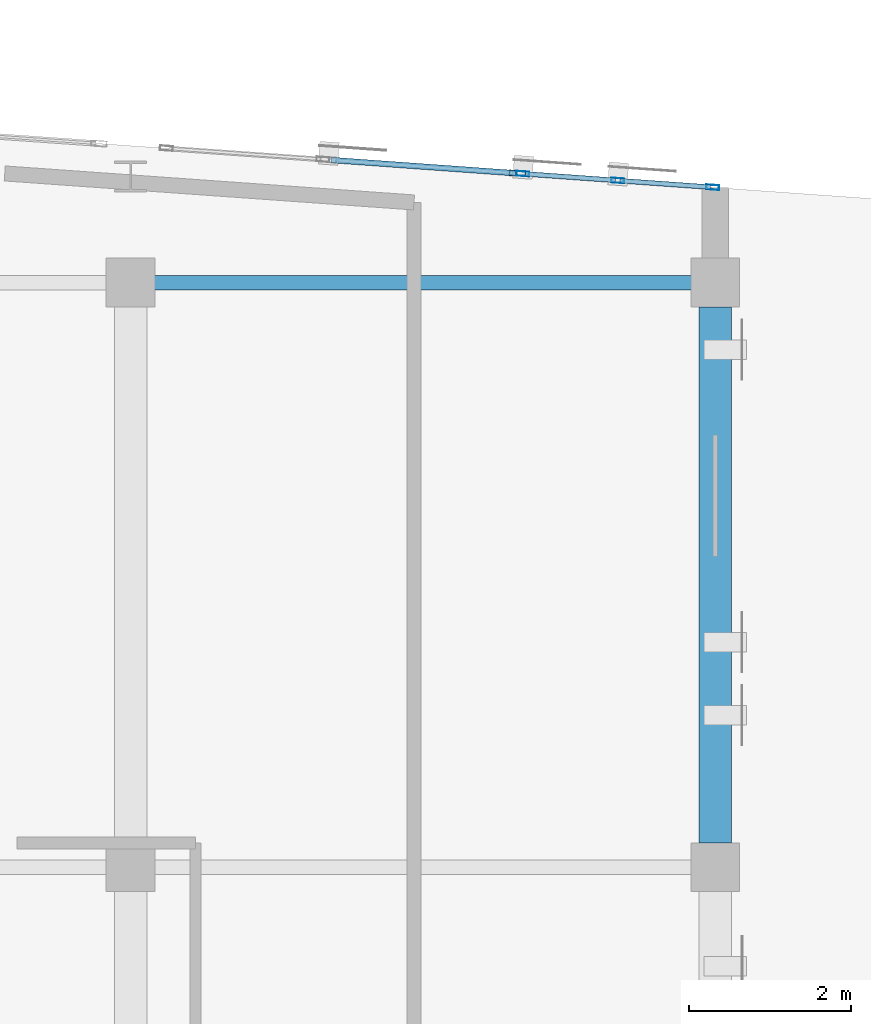
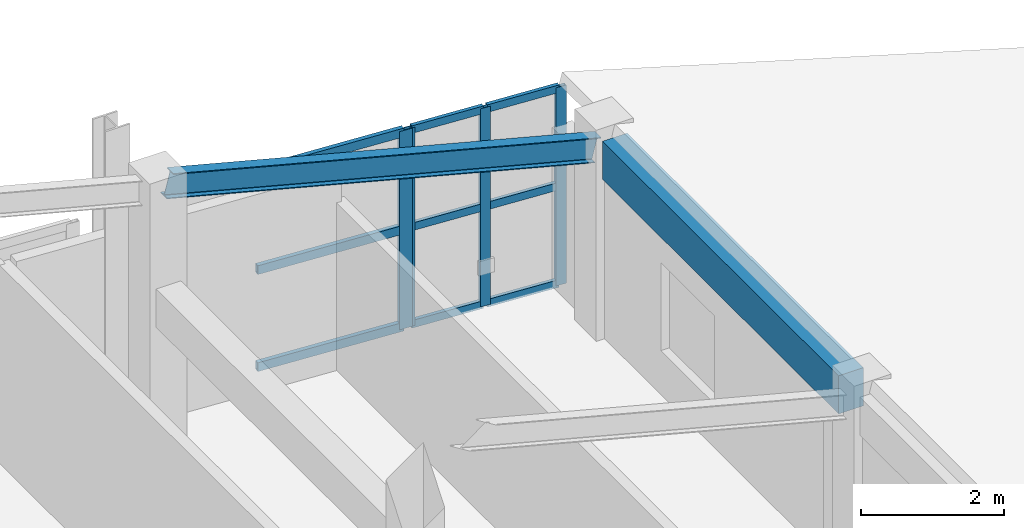
# One storey, part 24 of 41: 13 members, 2 beams, 2 elements without a shape of their own.
"""IFC4 building model written with IfcOpenShell, lengths in metres."""

import ifcopenshell
import ifcopenshell.guid

model = None  # the IFC model being written
_history = None  # IfcOwnerHistory: only IFC2X3 demands one
_inside = {}  # id of a spatial element -> (the spatial element, [elements in it])
_under = {}  # id of a project, library or spatial element -> (it, [spatial elements below it])
_declared = {}  # id of a project -> (the project, [libraries it declares])
_typed = {}  # id of a type object -> (the type object, [elements of that type])
_made_of = {}  # id of a material, layer set ... -> (it, [elements and type objects made of it])


def new_model(schema):
    """Start an empty IFC model of exactly this schema.

    Asked for "IFC4X3", IfcOpenShell would pick the latest addendum, in which some entities
    have other attributes; the version numbers below select the first issue.
    IFC2X3 requires an IfcOwnerHistory on every rooted entity: one is made here for all.
    """
    global model, _history
    if schema == "IFC4X3":
        model = ifcopenshell.file(schema_version=(4, 3, 0, 0))
    else:
        model = ifcopenshell.file(schema=schema)
    _inside.clear()
    _under.clear()
    _declared.clear()
    _typed.clear()
    _made_of.clear()
    _history = None
    if model.schema == "IFC2X3":
        org = make("IfcOrganization", Name="unknown")
        user = make(
            "IfcPersonAndOrganization",
            ThePerson=make("IfcPerson", FamilyName="unknown"),
            TheOrganization=org,
        )
        app = make(
            "IfcApplication",
            ApplicationDeveloper=org,
            Version="unknown",
            ApplicationFullName="unknown",
            ApplicationIdentifier="unknown",
        )
        _history = make(
            "IfcOwnerHistory",
            OwningUser=user,
            OwningApplication=app,
            ChangeAction="ADDED",
            CreationDate=0,
        )
    return model


def make(cls, **values):
    """One entity of the class cls with the attributes given. An attribute that is None is left unset."""
    return model.create_entity(
        cls, **{name: value for name, value in values.items() if value is not None}
    )


def rooted(cls, **values):
    """An entity with a GlobalId (a new one), such as an element, a storey or a relation."""
    return make(cls, GlobalId=ifcopenshell.guid.new(), OwnerHistory=_history, **values)


def si_unit(unit_type, name, prefix=None):
    """IfcSIUnit, for example si_unit("LENGTHUNIT", "METRE", prefix="MILLI")."""
    return make("IfcSIUnit", UnitType=unit_type, Prefix=prefix, Name=name)


def assignment(units):
    """IfcUnitAssignment: the units of a project."""
    return None if units is None else make("IfcUnitAssignment", Units=units)


def point(xyz):
    """IfcCartesianPoint."""
    return None if xyz is None else make("IfcCartesianPoint", Coordinates=xyz)


def direction(xyz):
    """IfcDirection."""
    return None if xyz is None else make("IfcDirection", DirectionRatios=xyz)


def frame(location, z_axis=None, x_axis=None):
    """IfcAxis2Placement3D, a coordinate frame: its origin and axes. An axis left out is left unset."""
    return make(
        "IfcAxis2Placement3D",
        Location=point(location),
        Axis=direction(z_axis),
        RefDirection=direction(x_axis),
    )


def frame_2d(location, x_axis=None):
    """IfcAxis2Placement2D, a coordinate frame in the plane: its origin and x axis."""
    return make(
        "IfcAxis2Placement2D", Location=point(location), RefDirection=direction(x_axis)
    )


def origin():
    """The frame at (0, 0, 0) with its axes left unset."""
    return frame((0.0, 0.0, 0.0))


def origin_2d():
    """The frame at (0, 0) in the plane with its x axis left unset."""
    return frame_2d((0.0, 0.0))


def place(relative_to, where):
    """IfcLocalPlacement: puts the frame where relative to a parent placement (None: the world)."""
    return make(
        "IfcLocalPlacement", PlacementRelTo=relative_to, RelativePlacement=where
    )


def context(
    kind, dimensions, precision=None, world=None, true_north=None, identifier=None
):
    """IfcGeometricRepresentationContext, for example the 3D "Model" context."""
    return make(
        "IfcGeometricRepresentationContext",
        ContextIdentifier=identifier,
        ContextType=kind,
        CoordinateSpaceDimension=dimensions,
        Precision=precision,
        WorldCoordinateSystem=world,
        TrueNorth=true_north,
    )


def subcontext(parent, identifier, kind, view, scale=None):
    """IfcGeometricRepresentationSubContext, for example "Body" below "Model"."""
    return make(
        "IfcGeometricRepresentationSubContext",
        ContextIdentifier=identifier,
        ContextType=kind,
        ParentContext=parent,
        TargetScale=scale,
        TargetView=view,
    )


def project(units=None, contexts=None):
    """IfcProject with its units and contexts."""
    return rooted(
        "IfcProject",
        Name="project",
        RepresentationContexts=contexts,
        UnitsInContext=assignment(units),
    )


def spatial(cls, under=None, at=None, **own):
    """A site, building, storey or space (cls), placed at a placement, below another one or the project."""
    s = rooted(cls, ObjectPlacement=at, **own)
    if under is not None:
        _under.setdefault(under.id(), (under, []))[1].append(s)
    return s


def profile(cls, at=None, kind="AREA", **sizes):
    """A parametric profile (cls). Its sizes go by their IFC names, for example OverallWidth=200.0."""
    return make(cls, ProfileType=kind, Position=at, **sizes)


def rectangle(**sizes):
    """IfcRectangleProfileDef."""
    return profile("IfcRectangleProfileDef", **sizes)


def hollow_rectangle(**sizes):
    """IfcRectangleHollowProfileDef."""
    return profile("IfcRectangleHollowProfileDef", **sizes)


def i_section(**sizes):
    """IfcIShapeProfileDef."""
    return profile("IfcIShapeProfileDef", **sizes)


def extrude(swept, where, along, depth):
    """IfcExtrudedAreaSolid: the profile swept, set in the frame where, extruded along a direction by depth."""
    return make(
        "IfcExtrudedAreaSolid",
        SweptArea=swept,
        Position=where,
        ExtrudedDirection=direction(along),
        Depth=depth,
    )


def shape(context_of_items, identifier, shape_type, items):
    """IfcShapeRepresentation: the items that make up one representation, for example the "Body"."""
    return make(
        "IfcShapeRepresentation",
        ContextOfItems=context_of_items,
        RepresentationIdentifier=identifier,
        RepresentationType=shape_type,
        Items=items,
    )


def material(Name=None, Category=None):
    """IfcMaterial."""
    return make("IfcMaterial", Name=Name, Category=Category)


def layer(
    of_material, thickness, ventilated=None, Name=None, Category=None, Priority=None
):
    """IfcMaterialLayer: one layer of a wall or slab, of a material (None: an air gap)."""
    return make(
        "IfcMaterialLayer",
        Material=of_material,
        LayerThickness=thickness,
        IsVentilated=ventilated,
        Name=Name,
        Category=Category,
        Priority=Priority,
    )


def layer_set(layers, Name=None):
    """IfcMaterialLayerSet."""
    return make("IfcMaterialLayerSet", MaterialLayers=layers, LayerSetName=Name)


def material_profile(
    of_material, cross_section, Name=None, Category=None, Priority=None
):
    """IfcMaterialProfile: a cross section and its material."""
    return make(
        "IfcMaterialProfile",
        Name=Name,
        Material=of_material,
        Profile=cross_section,
        Priority=Priority,
        Category=Category,
    )


def profile_set(profiles, Name=None, composite=None):
    """IfcMaterialProfileSet."""
    return make(
        "IfcMaterialProfileSet",
        Name=Name,
        MaterialProfiles=profiles,
        CompositeProfile=composite,
    )


def made_of(thing, what):
    """Note that an element or type object is made of a material, layer set ...; save() writes the relation."""
    if what is not None:
        _made_of.setdefault(what.id(), (what, []))[1].append(thing)
    return thing


def type_object(cls, material=None, **own):
    """A type object (cls), such as IfcWallType, which elements share."""
    return made_of(rooted(cls, **own), material)


def element(
    cls,
    number,
    at=None,
    inside=None,
    cuts=None,
    type_object=None,
    material=None,
    context=None,
    identifier="Body",
    shape_type=None,
    held_by="IfcProductDefinitionShape",
    body=None,
    shapes=None,
    **own,
):
    """One element of the class cls, such as IfcWall. Its Tag is "e" and its number.

    at: its placement. inside: the storey or other place that contains it. cuts: it is an
    opening in that element (IfcRelVoidsElement). A single representation is given by context,
    identifier, shape_type and body (its items); several are given by shapes. held_by: the class
    of the entity that holds the representations. save() writes the other relations.
    """
    e = rooted(cls, Tag="e%d" % number, ObjectPlacement=at, **own)
    if body is not None:
        shapes = [shape(context, identifier, shape_type, body)]
    if shapes is not None:
        e.Representation = make(held_by, Representations=shapes)
    if inside is not None:
        _inside.setdefault(inside.id(), (inside, []))[1].append(e)
    if cuts is not None:
        rooted(
            "IfcRelVoidsElement", RelatingBuildingElement=cuts, RelatedOpeningElement=e
        )
    if type_object is not None:
        _typed.setdefault(type_object.id(), (type_object, []))[1].append(e)
    return made_of(e, material)


def aggregate(whole, parts):
    """IfcRelAggregates: a whole, such as a stair, and the parts it consists of."""
    return rooted("IfcRelAggregates", RelatingObject=whole, RelatedObjects=parts)


def save(model, path):
    """Write the relations noted so far, then the file.

    IfcRelAggregates (storeys below a building ...), IfcRelContainedInSpatialStructure (elements
    in a storey), IfcRelDefinesByType, IfcRelAssociatesMaterial and IfcRelDeclares: one each for
    every whole, place, type object, material and project.
    """
    for whole, parts in _under.values():
        aggregate(whole, parts)
    for where, things in _inside.values():
        rooted(
            "IfcRelContainedInSpatialStructure",
            RelatedElements=things,
            RelatingStructure=where,
        )
    for kind, things in _typed.values():
        rooted("IfcRelDefinesByType", RelatedObjects=things, RelatingType=kind)
    for what, things in _made_of.values():
        rooted("IfcRelAssociatesMaterial", RelatedObjects=things, RelatingMaterial=what)
    for by, libraries in _declared.values():
        rooted("IfcRelDeclares", RelatingContext=by, RelatedDefinitions=libraries)
    model.write(path)


model = new_model("IFC4")

# Units and contexts
model_context = context("Model", 3, precision=1e-05, world=origin(), true_north=direction((0.0, 1.0)))
body_context = subcontext(model_context, "Body", "Model", "MODEL_VIEW")
ifc_project = project(units=[si_unit("LENGTHUNIT", "METRE"), si_unit("AREAUNIT", "SQUARE_METRE"), si_unit("VOLUMEUNIT", "CUBIC_METRE"), si_unit("PLANEANGLEUNIT", "RADIAN"), si_unit("MASSUNIT", "GRAM", prefix="KILO")], contexts=[model_context])

# Site, building, storey
site_placement = place(None, origin())
site = spatial("IfcSite", under=ifc_project, at=site_placement, CompositionType="ELEMENT")
building_placement = place(site_placement, origin())
building = spatial("IfcBuilding", under=site, at=building_placement, Name="Carrowvane Square Congress Hotel", CompositionType="ELEMENT")
storey_placement = place(building_placement, frame((0.0, 0.0, 37.199951171875)))
storey = spatial("IfcBuildingStorey", under=building, at=storey_placement, Name="L09", CompositionType="ELEMENT", Elevation=37.199951171875)

# Beams
ifc_material_1 = material(Name="Concrete C35/45", Category="concrete")
ifc_material_profile_1 = material_profile(ifc_material_1, rectangle(XDim=0.39990234375, YDim=0.64990234375, at=origin_2d()), Name="RC 400x650")
ifc_profile_set_1 = profile_set([ifc_material_profile_1], Name="Concrete C35/45")
beam_type_1 = type_object("IfcBeamType", Name="BM-RC-400x650", PredefinedType="BEAM", material=ifc_profile_set_1)
beam_1_placement = place(storey_placement, frame((141.199951171875, 106.5, 3.054931640625), z_axis=(0.0, 1.0, 0.0), x_axis=(-1.0, 0.0, 0.0)))
element("IfcBeam", 1, at=beam_1_placement, inside=storey, type_object=beam_type_1, Name="L10 girder 19/Q-R", PredefinedType="BEAM", context=body_context, shape_type="SweptSolid", body=[
    extrude(rectangle(XDim=0.39990234375, YDim=0.64990234375, at=origin_2d()), origin(), (0.0, 0.0, 1.0), 6.60009765625),
])
ifc_material_2 = material(Name="Steel S355", Category="steel")
ifc_material_profile_2 = material_profile(ifc_material_2, i_section(OverallWidth=0.1787109375, OverallDepth=0.409423828125, WebThickness=0.0087890625, FlangeThickness=0.014404296875, FilletRadius=0.01025390625, at=origin_2d()), Name="UKB 406x178x67")
ifc_profile_set_2 = profile_set([ifc_material_profile_2], Name="Steel S355")
beam_type_2 = type_object("IfcBeamType", Name="BM-ST-UKB406", PredefinedType="BEAM", material=ifc_profile_set_2)
beam_2_placement = place(storey_placement, frame((134.14990234375, 113.39990234375, 4.880126953125), z_axis=(0.967616908826, 0.0, -0.252423290832), x_axis=(0.0, 1.0, 0.0)))
element("IfcBeam", 2, at=beam_2_placement, inside=storey, type_object=beam_type_2, Name="L09 shallow-arc roof rafter 24", PredefinedType="BEAM", context=body_context, shape_type="SweptSolid", body=[
    extrude(i_section(OverallWidth=0.1787109375, OverallDepth=0.409423828125, WebThickness=0.0087890625, FlangeThickness=0.014404296875, FilletRadius=0.01025390625, at=origin_2d()), origin(), (0.0, 0.0, 1.0), 7.131103515625),
])

# Curtain wall, members
ifc_material_3 = material(Name="Anodised aluminium", Category="aluminium")
ifc_layer_1 = layer(ifc_material_3, 0.2099609375)
ifc_layer_set_1 = layer_set([ifc_layer_1], Name="Anodised aluminium")
curtain_wall_type_1 = type_object("IfcCurtainWallType", Name="CW-SYS-5", PredefinedType="NOTDEFINED", material=ifc_layer_set_1)
curtain_wall_1_placement = place(storey_placement, origin())
curtain_wall_1 = element("IfcCurtainWall", 3, at=curtain_wall_1_placement, inside=storey, type_object=curtain_wall_type_1, Name="L09 unitised curtain wall 548", PredefinedType="NOTDEFINED")
ifc_material_4 = material(Name="Anodised aluminium", Category="aluminium")
ifc_material_profile_3 = material_profile(ifc_material_4, hollow_rectangle(XDim=0.06005859375, YDim=0.159912109375, WallThickness=0.00390625, at=origin_2d()), Name="CW-ML 60x160x4")
ifc_profile_set_3 = profile_set([ifc_material_profile_3], Name="Anodised aluminium")
member_type_1 = type_object("IfcMemberType", Name="CW-MUL-1", PredefinedType="MULLION", material=ifc_profile_set_3)
member_1_placement = place(storey_placement, frame((138.829833984375, 114.740966796875, 0.0), z_axis=(0.0, 0.0, 1.0), x_axis=(0.071422490945, 0.997446152826, 0.0)))
member_1 = element("IfcMember", 4, at=member_1_placement, type_object=member_type_1, Name="CW-5 mullion 1", PredefinedType="MULLION", context=body_context, shape_type="SweptSolid", body=[
    extrude(hollow_rectangle(XDim=0.06005859375, YDim=0.159912109375, WallThickness=0.00390625, at=origin_2d()), origin(), (0.0, 0.0, 1.0), 3.380126953125),
])
member_2_placement = place(storey_placement, frame((140.0, 114.6572265625, 0.0), z_axis=(0.0, 0.0, 1.0), x_axis=(0.071422490945, 0.997446152826, 0.0)))
member_2 = element("IfcMember", 5, at=member_2_placement, type_object=member_type_1, Name="CW-5 mullion 2", PredefinedType="MULLION", context=body_context, shape_type="SweptSolid", body=[
    extrude(hollow_rectangle(XDim=0.06005859375, YDim=0.159912109375, WallThickness=0.00390625, at=origin_2d()), origin(), (0.0, 0.0, 1.0), 3.380126953125),
])
member_3_placement = place(storey_placement, frame((141.169921875, 114.573486328125, 0.0), z_axis=(0.0, 0.0, 1.0), x_axis=(0.071422490945, 0.997446152826, 0.0)))
member_3 = element("IfcMember", 6, at=member_3_placement, type_object=member_type_1, Name="CW-5 mullion 3", PredefinedType="MULLION", context=body_context, shape_type="SweptSolid", body=[
    extrude(hollow_rectangle(XDim=0.06005859375, YDim=0.159912109375, WallThickness=0.00390625, at=origin_2d()), origin(), (0.0, 0.0, 1.0), 3.380126953125),
])

# Curtain wall, member
ifc_material_5 = material(Name="Anodised aluminium", Category="aluminium")
ifc_layer_2 = layer(ifc_material_5, 0.197998046875)
ifc_layer_set_2 = layer_set([ifc_layer_2], Name="Anodised aluminium")
curtain_wall_type_2 = type_object("IfcCurtainWallType", Name="CW-SYS-4", PredefinedType="NOTDEFINED", material=ifc_layer_set_2)
curtain_wall_2_placement = place(storey_placement, origin())
curtain_wall_2 = element("IfcCurtainWall", 7, at=curtain_wall_2_placement, inside=storey, type_object=curtain_wall_type_2, Name="L09 unitised curtain wall 547", PredefinedType="NOTDEFINED")
ifc_material_6 = material(Name="Anodised aluminium", Category="aluminium")
ifc_material_profile_4 = material_profile(ifc_material_6, hollow_rectangle(XDim=0.070068359375, YDim=0.199951171875, WallThickness=0.0048828125, at=origin_2d()), Name="CW-ML 70x200x5")
ifc_profile_set_4 = profile_set([ifc_material_profile_4], Name="Anodised aluminium")
member_type_2 = type_object("IfcMemberType", Name="CW-MUL-2", PredefinedType="MULLION", material=ifc_profile_set_4)
member_4_placement = place(storey_placement, frame((138.76513671875, 114.74560546875, 0.0), z_axis=(0.0, 0.0, 1.0), x_axis=(0.071531759512, 0.997438322595, 0.0)))
member_4 = element("IfcMember", 8, at=member_4_placement, type_object=member_type_2, Name="CW-4 mullion 2", PredefinedType="MULLION", context=body_context, shape_type="SweptSolid", body=[
    extrude(hollow_rectangle(XDim=0.070068359375, YDim=0.199951171875, WallThickness=0.0048828125, at=origin_2d()), origin(), (0.0, 0.0, 1.0), 3.380126953125),
])

# Member
ifc_material_7 = material(Name="Anodised aluminium", Category="aluminium")
ifc_material_profile_5 = material_profile(ifc_material_7, hollow_rectangle(XDim=0.06005859375, YDim=0.1298828125, WallThickness=0.00390625, at=origin_2d()), Name="CW-TR 60x130x4")
ifc_profile_set_5 = profile_set([ifc_material_profile_5], Name="Anodised aluminium")
member_type_3 = type_object("IfcMemberType", Name="CW-TRN-1", PredefinedType="USERDEFINED", material=ifc_profile_set_5)
member_5_placement = place(storey_placement, frame((138.85986328125, 114.73876953125, 0.030029296875), z_axis=(0.997455358142, -0.071293818209, 0.0), x_axis=(0.071293818209, 0.997455358142, 0.0)))
member_5 = element("IfcMember", 9, at=member_5_placement, type_object=member_type_3, Name="CW-5 transom 1.1", ObjectType="TRANSOM", PredefinedType="USERDEFINED", context=body_context, shape_type="SweptSolid", body=[
    extrude(hollow_rectangle(XDim=0.06005859375, YDim=0.1298828125, WallThickness=0.00390625, at=origin_2d()), origin(), (0.0, 0.0, 1.0), 1.113037109375),
])

member_6_placement = place(storey_placement, frame((138.85986328125, 114.73876953125, 1.68994140625), z_axis=(0.997455358142, -0.071293818209, 0.0), x_axis=(0.071293818209, 0.997455358142, 0.0)))
member_6 = element("IfcMember", 10, at=member_6_placement, type_object=member_type_3, Name="CW-5 transom 1.2", ObjectType="TRANSOM", PredefinedType="USERDEFINED", context=body_context, shape_type="SweptSolid", body=[
    extrude(hollow_rectangle(XDim=0.06005859375, YDim=0.1298828125, WallThickness=0.00390625, at=origin_2d()), origin(), (0.0, 0.0, 1.0), 1.113037109375),
])

member_7_placement = place(storey_placement, frame((138.85986328125, 114.73876953125, 3.35009765625), z_axis=(0.997455358142, -0.071293818209, 0.0), x_axis=(0.071293818209, 0.997455358142, 0.0)))
member_7 = element("IfcMember", 11, at=member_7_placement, type_object=member_type_3, Name="CW-5 transom 1.3", ObjectType="TRANSOM", PredefinedType="USERDEFINED", context=body_context, shape_type="SweptSolid", body=[
    extrude(hollow_rectangle(XDim=0.06005859375, YDim=0.1298828125, WallThickness=0.00390625, at=origin_2d()), origin(), (0.0, 0.0, 1.0), 1.113037109375),
])

member_8_placement = place(storey_placement, frame((140.02978515625, 114.655029296875, 0.030029296875), z_axis=(0.99744085634, -0.071496420221, 0.0), x_axis=(0.071496420221, 0.99744085634, 0.0)))
member_8 = element("IfcMember", 12, at=member_8_placement, type_object=member_type_3, Name="CW-5 transom 2.1", ObjectType="TRANSOM", PredefinedType="USERDEFINED", context=body_context, shape_type="SweptSolid", body=[
    extrude(hollow_rectangle(XDim=0.06005859375, YDim=0.1298828125, WallThickness=0.00390625, at=origin_2d()), origin(), (0.0, 0.0, 1.0), 1.11328125),
])

member_9_placement = place(storey_placement, frame((140.02978515625, 114.655029296875, 1.68994140625), z_axis=(0.99744085634, -0.071496420221, 0.0), x_axis=(0.071496420221, 0.99744085634, 0.0)))
member_9 = element("IfcMember", 13, at=member_9_placement, type_object=member_type_3, Name="CW-5 transom 2.2", ObjectType="TRANSOM", PredefinedType="USERDEFINED", context=body_context, shape_type="SweptSolid", body=[
    extrude(hollow_rectangle(XDim=0.06005859375, YDim=0.1298828125, WallThickness=0.00390625, at=origin_2d()), origin(), (0.0, 0.0, 1.0), 1.11328125),
])

member_10_placement = place(storey_placement, frame((140.02978515625, 114.655029296875, 3.35009765625), z_axis=(0.99744085634, -0.071496420221, 0.0), x_axis=(0.071496420221, 0.99744085634, 0.0)))
member_10 = element("IfcMember", 14, at=member_10_placement, type_object=member_type_3, Name="CW-5 transom 2.3", ObjectType="TRANSOM", PredefinedType="USERDEFINED", context=body_context, shape_type="SweptSolid", body=[
    extrude(hollow_rectangle(XDim=0.06005859375, YDim=0.1298828125, WallThickness=0.00390625, at=origin_2d()), origin(), (0.0, 0.0, 1.0), 1.11328125),
])

aggregate(curtain_wall_1, [member_1, member_2, member_3, member_5, member_6, member_7, member_8, member_9, member_10])

ifc_material_8 = material(Name="Anodised aluminium", Category="aluminium")
ifc_material_profile_6 = material_profile(ifc_material_8, hollow_rectangle(XDim=0.070068359375, YDim=0.14990234375, WallThickness=0.0048828125, at=origin_2d()), Name="CW-TR 70x150x5")
ifc_profile_set_6 = profile_set([ifc_material_profile_6], Name="Anodised aluminium")
member_type_4 = type_object("IfcMemberType", Name="CW-TRN-2", PredefinedType="USERDEFINED", material=ifc_profile_set_6)
member_11_placement = place(storey_placement, frame((136.4697265625, 114.91015625, 0.03515625), z_axis=(0.99743842674, -0.071530307307, 0.0), x_axis=(0.071530307307, 0.99743842674, 0.0)))
member_11 = element("IfcMember", 15, at=member_11_placement, type_object=member_type_4, Name="CW-4 transom 1.1", ObjectType="TRANSOM", PredefinedType="USERDEFINED", context=body_context, shape_type="SweptSolid", body=[
    extrude(hollow_rectangle(XDim=0.070068359375, YDim=0.14990234375, WallThickness=0.0048828125, at=origin_2d()), origin(), (0.0, 0.0, 1.0), 2.266357421875),
])

member_12_placement = place(storey_placement, frame((136.4697265625, 114.91015625, 1.68994140625), z_axis=(0.99743842674, -0.071530307307, 0.0), x_axis=(0.071530307307, 0.99743842674, 0.0)))
member_12 = element("IfcMember", 16, at=member_12_placement, type_object=member_type_4, Name="CW-4 transom 1.2", ObjectType="TRANSOM", PredefinedType="USERDEFINED", context=body_context, shape_type="SweptSolid", body=[
    extrude(hollow_rectangle(XDim=0.070068359375, YDim=0.14990234375, WallThickness=0.0048828125, at=origin_2d()), origin(), (0.0, 0.0, 1.0), 2.266357421875),
])

member_13_placement = place(storey_placement, frame((136.4697265625, 114.91015625, 3.344970703125), z_axis=(0.99743842674, -0.071530307307, 0.0), x_axis=(0.071530307307, 0.99743842674, 0.0)))
member_13 = element("IfcMember", 17, at=member_13_placement, type_object=member_type_4, Name="CW-4 transom 1.3", ObjectType="TRANSOM", PredefinedType="USERDEFINED", context=body_context, shape_type="SweptSolid", body=[
    extrude(hollow_rectangle(XDim=0.070068359375, YDim=0.14990234375, WallThickness=0.0048828125, at=origin_2d()), origin(), (0.0, 0.0, 1.0), 2.266357421875),
])

aggregate(curtain_wall_2, [member_4, member_11, member_12, member_13])

save(model, "model.ifc")
